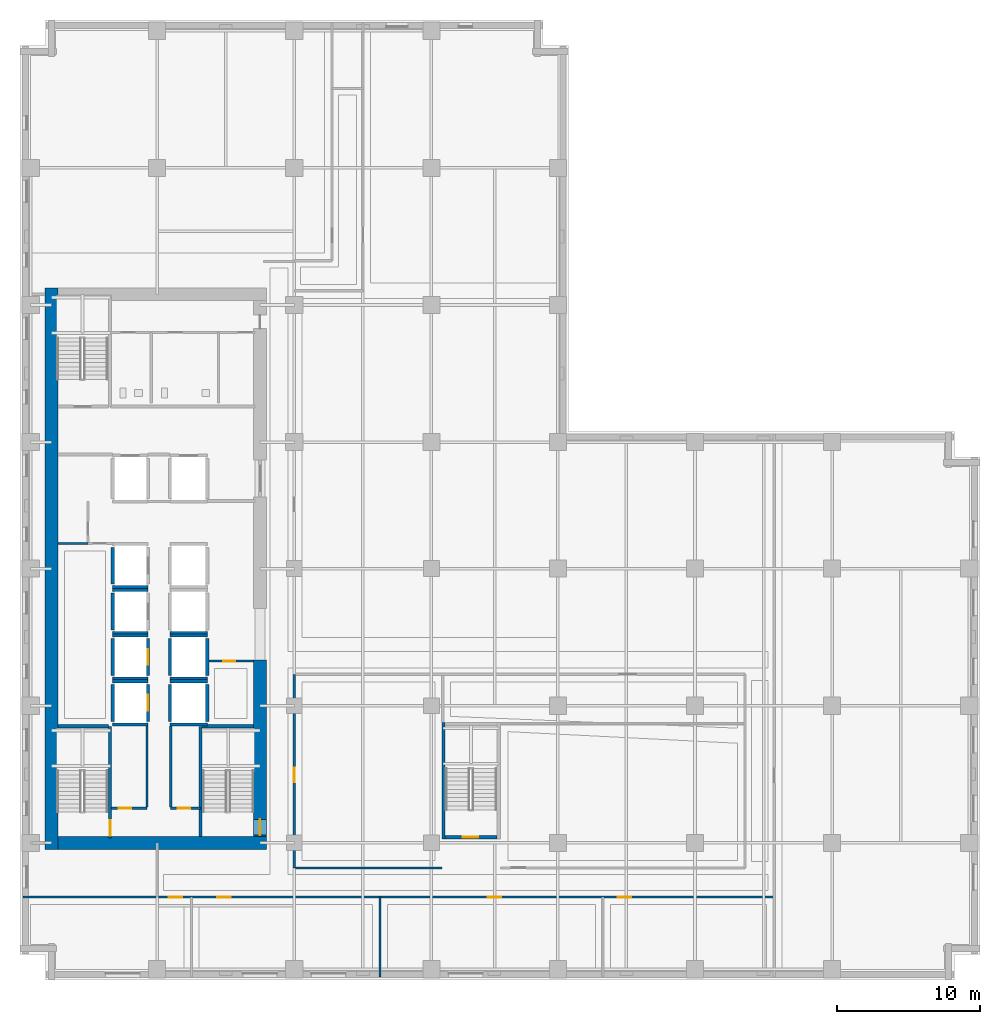
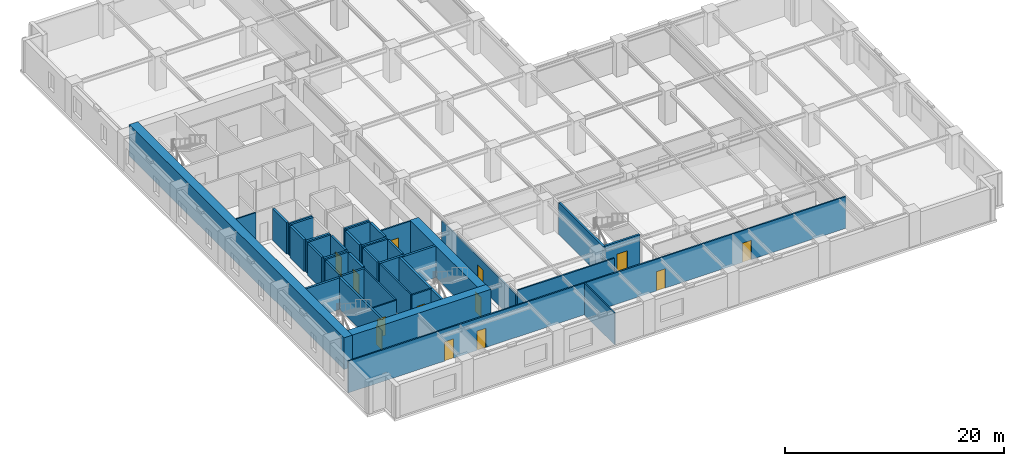
# One storey, part 4 of 13: 41 walls, 13 doors, 13 openings.
"""IFC4 building model written with IfcOpenShell, lengths in metres."""

from ifc_helpers import new_model, si_unit, direction, frame, frame_2d, origin, place, context, subcontext, project, spatial, rectangle, extrude, material, layer, layer_set, type_object, element, fill, save


model = new_model("IFC4")

# Units and contexts
model_context = context("Model", 3, precision=1e-05, world=origin(), true_north=direction((0.0, 1.0)))
body_context = subcontext(model_context, "Body", "Model", "MODEL_VIEW")
ifc_project = project(units=[si_unit("LENGTHUNIT", "METRE"), si_unit("AREAUNIT", "SQUARE_METRE"), si_unit("VOLUMEUNIT", "CUBIC_METRE"), si_unit("PLANEANGLEUNIT", "RADIAN"), si_unit("MASSUNIT", "GRAM", prefix="KILO")], contexts=[model_context])

# Site, building, storey
site_placement = place(None, origin())
site = spatial("IfcSite", under=ifc_project, at=site_placement, CompositionType="ELEMENT")
building_placement = place(site_placement, origin())
building = spatial("IfcBuilding", under=site, at=building_placement, Name="Norrvale University Quadrangle", CompositionType="ELEMENT")
storey_placement = place(building_placement, frame((0.0, 0.0, 39.39990234375)))
storey = spatial("IfcBuildingStorey", under=building, at=storey_placement, Name="L09", CompositionType="ELEMENT", Elevation=39.39990234375)

# Walls
ifc_material_1 = material(Name="Concrete C80/95", Category="concrete")
ifc_layer_1 = layer(ifc_material_1, 0.89990234375, Name="Concrete C80/95")
ifc_layer_set_1 = layer_set([ifc_layer_1], Name="Concrete C80/95")
wall_type_1 = type_object("IfcWallType", Name="Wall Core 900", PredefinedType="SHEAR", material=ifc_layer_set_1)
wall_1_placement = place(storey_placement, frame((2.64990234375, 9.60009765625, 0.0), z_axis=(0.0, 0.0, 1.0), x_axis=(1.0, 0.0, 0.0)))
element("IfcWall", 1, at=wall_1_placement, inside=storey, type_object=wall_type_1, Name="Tower Core Shear Wall L09-S", PredefinedType="SHEAR", context=body_context, shape_type="SweptSolid", body=[
    extrude(rectangle(XDim=14.60009765625, YDim=0.89990234375, at=frame_2d((7.300048828125, 0.0))), origin(), (0.0, 0.0, 1.0), 3.5400390625),
])
wall_2_placement = place(storey_placement, frame((2.199951171875, 9.14990234375, 0.0), z_axis=(0.0, 0.0, 1.0), x_axis=(0.0, 1.0, 0.0)))
element("IfcWall", 2, at=wall_2_placement, inside=storey, type_object=wall_type_1, Name="Tower Core Shear Wall L09-W", PredefinedType="SHEAR", context=body_context, shape_type="SweptSolid", body=[
    extrude(rectangle(XDim=39.300048828125, YDim=0.89990234375, at=frame_2d((19.64990234375, 0.0))), origin(), (0.0, 0.0, 1.0), 3.5400390625),
])

# Wall, opening, door
wall_3_placement = place(storey_placement, frame((16.800048828125, 10.050048828125, 0.0), z_axis=(0.0, 0.0, 1.0), x_axis=(0.0, 1.0, 0.0)))
wall_3 = element("IfcWall", 3, at=wall_3_placement, inside=storey, type_object=wall_type_1, Name="Tower Core Shear Wall L09-E1", PredefinedType="SHEAR", context=body_context, shape_type="SweptSolid", body=[
    extrude(rectangle(XDim=12.349853515625, YDim=0.89990234375, at=frame_2d((6.1748046875, 0.0))), origin(), (0.0, 0.0, 1.0), 3.5400390625),
])
opening_1_placement = place(wall_3_placement, frame((0.090087890625, 0.0, 0.0)))
opening_1 = element("IfcOpeningElement", 4, at=opening_1_placement, cuts=wall_3, Name="Opening D02", PredefinedType="OPENING", context=body_context, shape_type="SweptSolid", body=[
    extrude(rectangle(XDim=1.10009765625, YDim=2.199951171875, at=frame_2d((0.550048828125, 1.10009765625))), frame((0.0, 0.4619140625, 0.0), z_axis=(0.0, -1.0, 0.0), x_axis=(1.0, 0.0, 0.0)), (0.0, 0.0, 1.0), 0.923828125),
])
ifc_material_2 = material(Name="Hollow Steel 350W Fire Door", Category="steel")
door_type_1 = type_object("IfcDoorType", Name="Door Stair Exit 1100x2200", OperationType="NOTDEFINED", PredefinedType="DOOR", material=ifc_material_2)
door_1_placement = place(opening_1_placement, origin())
door_1 = element("IfcDoor", 5, at=door_1_placement, inside=storey, type_object=door_type_1, Name="Door Stair Exit 1100x2200 DR-L09-ST03", OperationType="SINGLE_SWING_LEFT", OverallHeight=2.199951171875, OverallWidth=1.10009765625, PredefinedType="DOOR", context=body_context, shape_type="SweptSolid", body=[
    extrude(rectangle(XDim=1.10009765625, YDim=2.199951171875, at=frame_2d((0.550048828125, 1.10009765625))), frame((0.0, 0.02490234375, 0.0), z_axis=(0.0, -1.0, 0.0), x_axis=(1.0, 0.0, 0.0)), (0.0, 0.0, 1.0), 0.050048828125),
])
fill(opening_1, door_1)

# Wall
ifc_material_3 = material(Name="Standard Academic Gypsum Partition")
ifc_layer_2 = layer(ifc_material_3, 0.125, Name="Standard Academic Gypsum Partition")
ifc_layer_set_2 = layer_set([ifc_layer_2], Name="Standard Academic Gypsum Partition")
wall_type_2 = type_object("IfcWallType", Name="Wall Gypsum Academic 125", PredefinedType="PARTITIONING", material=ifc_layer_set_2)
wall_4_placement = place(storey_placement, frame((25.199951171875, 0.219970703125, 0.0), z_axis=(0.0, 0.0, 1.0), x_axis=(0.0, 1.0, 0.0)))
element("IfcWall", 6, at=wall_4_placement, inside=storey, type_object=wall_type_2, Name="Interior Partition WL-L09-SP02", PredefinedType="PARTITIONING", context=body_context, shape_type="SweptSolid", body=[
    extrude(rectangle(XDim=5.580078125, YDim=0.125, at=frame_2d((2.7900390625, 0.0))), origin(), (0.0, 0.0, 1.0), 3.5400390625),
])

# Wall, opening, door
ifc_material_4 = material(Name="Fire-Rated Gypsum Stud Partition")
ifc_layer_3 = layer(ifc_material_4, 0.14990234375, Name="Fire-Rated Gypsum Stud Partition")
ifc_layer_set_3 = layer_set([ifc_layer_3], Name="Fire-Rated Gypsum Stud Partition")
wall_type_3 = type_object("IfcWallType", Name="Wall Gypsum Corridor 150", PredefinedType="PARTITIONING", material=ifc_layer_set_3)
wall_5_placement = place(storey_placement, frame((6.419921875, 12.02001953125, 0.0), z_axis=(0.0, 0.0, 1.0), x_axis=(1.0, 0.0, 0.0)))
wall_5 = element("IfcWall", 7, at=wall_5_placement, inside=storey, type_object=wall_type_3, Name="Interior Partition WL-L09-SC-NL", PredefinedType="PARTITIONING", context=body_context, shape_type="SweptSolid", body=[
    extrude(rectangle(XDim=2.47998046875, YDim=0.14990234375, at=frame_2d((1.239990234375, 0.0))), origin(), (0.0, 0.0, 1.0), 3.5400390625),
])
opening_2_placement = place(wall_5_placement, frame((0.5, 0.0, 0.0)))
opening_2 = element("IfcOpeningElement", 8, at=opening_2_placement, cuts=wall_5, Name="Opening D10", PredefinedType="OPENING", context=body_context, shape_type="SweptSolid", body=[
    extrude(rectangle(XDim=0.85009765625, YDim=2.10009765625, at=frame_2d((0.425048828125, 1.050048828125))), frame((0.0, 0.0869140625, 0.0), z_axis=(0.0, -1.0, 0.0), x_axis=(1.0, 0.0, 0.0)), (0.0, 0.0, 1.0), 0.173828125),
])
ifc_material_5 = material(Name="Hollow Steel 350W Riser Fire Door", Category="steel")
door_type_2 = type_object("IfcDoorType", Name="Door Riser 850x2100", OperationType="NOTDEFINED", PredefinedType="DOOR", material=ifc_material_5)
door_2_placement = place(opening_2_placement, origin())
door_2 = element("IfcDoor", 9, at=door_2_placement, inside=storey, type_object=door_type_2, Name="Door Riser 850x2100 DR-L09-ELEC", OperationType="SINGLE_SWING_LEFT", OverallHeight=2.10009765625, OverallWidth=0.85009765625, PredefinedType="DOOR", context=body_context, shape_type="SweptSolid", body=[
    extrude(rectangle(XDim=0.85009765625, YDim=2.10009765625, at=frame_2d((0.425048828125, 1.050048828125))), frame((0.0, 0.02490234375, 0.0), z_axis=(0.0, -1.0, 0.0), x_axis=(1.0, 0.0, 0.0)), (0.0, 0.0, 1.0), 0.050048828125),
])
fill(opening_2, door_2)

wall_6_placement = place(storey_placement, frame((10.550048828125, 12.02001953125, 0.0), z_axis=(0.0, 0.0, 1.0), x_axis=(1.0, 0.0, 0.0)))
wall_6 = element("IfcWall", 10, at=wall_6_placement, inside=storey, type_object=wall_type_3, Name="Interior Partition WL-L09-SC-NR", PredefinedType="PARTITIONING", context=body_context, shape_type="SweptSolid", body=[
    extrude(rectangle(XDim=2.079833984375, YDim=0.14990234375, at=frame_2d((1.0400390625, 0.0))), origin(), (0.0, 0.0, 1.0), 3.5400390625),
])
opening_3_placement = place(wall_6_placement, frame((0.5, 0.0, 0.0)))
opening_3 = element("IfcOpeningElement", 11, at=opening_3_placement, cuts=wall_6, Name="Opening D10", PredefinedType="OPENING", context=body_context, shape_type="SweptSolid", body=[
    extrude(rectangle(XDim=0.85009765625, YDim=2.10009765625, at=frame_2d((0.425048828125, 1.050048828125))), frame((0.0, 0.0869140625, 0.0), z_axis=(0.0, -1.0, 0.0), x_axis=(1.0, 0.0, 0.0)), (0.0, 0.0, 1.0), 0.173828125),
])
door_3_placement = place(opening_3_placement, origin())
door_3 = element("IfcDoor", 12, at=door_3_placement, inside=storey, type_object=door_type_2, Name="Door Riser 850x2100 DR-L09-IDF", OperationType="SINGLE_SWING_RIGHT", OverallHeight=2.10009765625, OverallWidth=0.85009765625, PredefinedType="DOOR", context=body_context, shape_type="SweptSolid", body=[
    extrude(rectangle(XDim=0.85009765625, YDim=2.10009765625, at=frame_2d((0.425048828125, 1.050048828125))), frame((0.0, 0.02490234375, 0.0), z_axis=(0.0, -1.0, 0.0), x_axis=(1.0, 0.0, 0.0)), (0.0, 0.0, 1.0), 0.050048828125),
])
fill(opening_3, door_3)

# Walls
for number, where, z_axis, x_axis, name in (
    (13, (8.89990234375, 12.094970703125, 0.0), (0.0, 0.0, 1.0), (0.0, 1.0, 0.0), "Interior Partition WL-L09-SC-WL"),
    (14, (10.550048828125, 12.094970703125, 0.0), (0.0, 0.0, 1.0), (0.0, 1.0, 0.0), "Interior Partition WL-L09-SC-WR"),
):
    element("IfcWall", number, at=place(storey_placement, frame(where, z_axis=z_axis, x_axis=x_axis)), inside=storey, type_object=wall_type_3, Name=name, PredefinedType="PARTITIONING", context=body_context, shape_type="SweptSolid", body=[
        extrude(rectangle(XDim=5.679931640625, YDim=0.14990234375, at=frame_2d((2.83984375, 0.0))), origin(), (0.0, 0.0, 1.0), 3.5400390625),
    ])

# Wall, opening, door
wall_7_placement = place(storey_placement, frame((13.22509765625, 22.320068359375, 0.0), z_axis=(0.0, 0.0, 1.0), x_axis=(1.0, 0.0, 0.0)))
wall_7 = element("IfcWall", 15, at=wall_7_placement, inside=storey, type_object=wall_type_3, Name="Interior Partition WL-L09-JAN-N", PredefinedType="PARTITIONING", context=body_context, shape_type="SweptSolid", body=[
    extrude(rectangle(XDim=3.119873046875, YDim=0.14990234375, at=frame_2d((1.56005859375, 0.0))), origin(), (0.0, 0.0, 1.0), 3.5400390625),
])
opening_4_placement = place(wall_7_placement, frame((1.0, 0.0, 0.0)))
opening_4 = element("IfcOpeningElement", 16, at=opening_4_placement, cuts=wall_7, Name="Opening D10", PredefinedType="OPENING", context=body_context, shape_type="SweptSolid", body=[
    extrude(rectangle(XDim=0.85009765625, YDim=2.10009765625, at=frame_2d((0.425048828125, 1.050048828125))), frame((0.0, 0.0869140625, 0.0), z_axis=(0.0, -1.0, 0.0), x_axis=(1.0, 0.0, 0.0)), (0.0, 0.0, 1.0), 0.173828125),
])
door_4_placement = place(opening_4_placement, origin())
door_4 = element("IfcDoor", 17, at=door_4_placement, inside=storey, type_object=door_type_2, Name="Door Riser 850x2100 DR-L09-JAN", OperationType="SINGLE_SWING_LEFT", OverallHeight=2.10009765625, OverallWidth=0.85009765625, PredefinedType="DOOR", context=body_context, shape_type="SweptSolid", body=[
    extrude(rectangle(XDim=0.85009765625, YDim=2.10009765625, at=frame_2d((0.425048828125, 1.050048828125))), frame((0.0, 0.02490234375, 0.0), z_axis=(0.0, -1.0, 0.0), x_axis=(1.0, 0.0, 0.0)), (0.0, 0.0, 1.0), 0.050048828125),
])
fill(opening_4, door_4)

# Wall
wall_8_placement = place(storey_placement, frame((2.64990234375, 30.550048828125, 0.0), z_axis=(0.0, 0.0, 1.0), x_axis=(1.0, 0.0, 0.0)))
element("IfcWall", 18, at=wall_8_placement, inside=storey, type_object=wall_type_3, Name="Interior Partition WL-L09-WST-N2", PredefinedType="PARTITIONING", context=body_context, shape_type="SweptSolid", body=[
    extrude(rectangle(XDim=2.110107421875, YDim=0.14990234375, at=frame_2d((1.05517578125, 0.0))), origin(), (0.0, 0.0, 1.0), 3.5400390625),
])

# Wall, openings, doors
wall_9_placement = place(storey_placement, frame((0.219970703125, 5.800048828125, 0.0), z_axis=(0.0, 0.0, 1.0), x_axis=(1.0, 0.0, 0.0)))
wall_9 = element("IfcWall", 19, at=wall_9_placement, inside=storey, type_object=wall_type_3, Name="Interior Partition WL-L09-SCW", PredefinedType="PARTITIONING", context=body_context, shape_type="SweptSolid", body=[
    extrude(rectangle(XDim=52.580078125, YDim=0.14990234375, at=frame_2d((26.2900390625, 0.0))), origin(), (0.0, 0.0, 1.0), 3.5400390625),
])
opening_5_placement = place(wall_9_placement, frame((10.179931640625, 0.0, 0.0)))
opening_5 = element("IfcOpeningElement", 20, at=opening_5_placement, cuts=wall_9, Name="Opening D07", PredefinedType="OPENING", context=body_context, shape_type="SweptSolid", body=[
    extrude(rectangle(XDim=0.949951171875, YDim=2.14990234375, at=frame_2d((0.47509765625, 1.074951171875))), frame((0.0, 0.0869140625, 0.0), z_axis=(0.0, -1.0, 0.0), x_axis=(1.0, 0.0, 0.0)), (0.0, 0.0, 1.0), 0.173828125),
])
opening_6_placement = place(wall_9_placement, frame((13.580078125, 0.0, 0.0)))
opening_6 = element("IfcOpeningElement", 21, at=opening_6_placement, cuts=wall_9, Name="Opening D07", PredefinedType="OPENING", context=body_context, shape_type="SweptSolid", body=[
    extrude(rectangle(XDim=0.949951171875, YDim=2.14990234375, at=frame_2d((0.47509765625, 1.074951171875))), frame((0.0, 0.0869140625, 0.0), z_axis=(0.0, -1.0, 0.0), x_axis=(1.0, 0.0, 0.0)), (0.0, 0.0, 1.0), 0.173828125),
])
opening_7_placement = place(wall_9_placement, frame((32.530029296875, 0.0, 0.0)))
opening_7 = element("IfcOpeningElement", 22, at=opening_7_placement, cuts=wall_9, Name="Opening D07", PredefinedType="OPENING", context=body_context, shape_type="SweptSolid", body=[
    extrude(rectangle(XDim=0.949951171875, YDim=2.14990234375, at=frame_2d((0.47509765625, 1.074951171875))), frame((0.0, 0.0869140625, 0.0), z_axis=(0.0, -1.0, 0.0), x_axis=(1.0, 0.0, 0.0)), (0.0, 0.0, 1.0), 0.173828125),
])
opening_8_placement = place(wall_9_placement, frame((41.6298828125, 0.0, 0.0)))
opening_8 = element("IfcOpeningElement", 23, at=opening_8_placement, cuts=wall_9, Name="Opening D07", PredefinedType="OPENING", context=body_context, shape_type="SweptSolid", body=[
    extrude(rectangle(XDim=0.949951171875, YDim=2.14990234375, at=frame_2d((0.47509765625, 1.074951171875))), frame((0.0, 0.0869140625, 0.0), z_axis=(0.0, -1.0, 0.0), x_axis=(1.0, 0.0, 0.0)), (0.0, 0.0, 1.0), 0.173828125),
])
ifc_material_6 = material(Name="Solid-Core Maple Door", Category="wood")
door_type_3 = type_object("IfcDoorType", Name="Door Office 950x2150", OperationType="NOTDEFINED", PredefinedType="DOOR", material=ifc_material_6)
door_5_placement = place(opening_5_placement, origin())
door_5 = element("IfcDoor", 24, at=door_5_placement, inside=storey, type_object=door_type_3, Name="Door Office 950x2150 DR-L09-S01", OperationType="SINGLE_SWING_LEFT", OverallHeight=2.14990234375, OverallWidth=0.949951171875, PredefinedType="DOOR", context=body_context, shape_type="SweptSolid", body=[
    extrude(rectangle(XDim=0.949951171875, YDim=2.14990234375, at=frame_2d((0.47509765625, 1.074951171875))), frame((0.0, 0.02490234375, 0.0), z_axis=(0.0, -1.0, 0.0), x_axis=(1.0, 0.0, 0.0)), (0.0, 0.0, 1.0), 0.050048828125),
])
fill(opening_5, door_5)
door_6_placement = place(opening_6_placement, origin())
door_6 = element("IfcDoor", 25, at=door_6_placement, inside=storey, type_object=door_type_3, Name="Door Office 950x2150 DR-L09-S02", OperationType="SINGLE_SWING_RIGHT", OverallHeight=2.14990234375, OverallWidth=0.949951171875, PredefinedType="DOOR", context=body_context, shape_type="SweptSolid", body=[
    extrude(rectangle(XDim=0.949951171875, YDim=2.14990234375, at=frame_2d((0.47509765625, 1.074951171875))), frame((0.0, 0.02490234375, 0.0), z_axis=(0.0, -1.0, 0.0), x_axis=(1.0, 0.0, 0.0)), (0.0, 0.0, 1.0), 0.050048828125),
])
fill(opening_6, door_6)
door_7_placement = place(opening_7_placement, origin())
door_7 = element("IfcDoor", 26, at=door_7_placement, inside=storey, type_object=door_type_3, Name="Door Office 950x2150 DR-L09-S03", OperationType="SINGLE_SWING_LEFT", OverallHeight=2.14990234375, OverallWidth=0.949951171875, PredefinedType="DOOR", context=body_context, shape_type="SweptSolid", body=[
    extrude(rectangle(XDim=0.949951171875, YDim=2.14990234375, at=frame_2d((0.47509765625, 1.074951171875))), frame((0.0, 0.02490234375, 0.0), z_axis=(0.0, -1.0, 0.0), x_axis=(1.0, 0.0, 0.0)), (0.0, 0.0, 1.0), 0.050048828125),
])
fill(opening_7, door_7)
door_8_placement = place(opening_8_placement, origin())
door_8 = element("IfcDoor", 27, at=door_8_placement, inside=storey, type_object=door_type_3, Name="Door Office 950x2150 DR-L09-S04", OperationType="SINGLE_SWING_RIGHT", OverallHeight=2.14990234375, OverallWidth=0.949951171875, PredefinedType="DOOR", context=body_context, shape_type="SweptSolid", body=[
    extrude(rectangle(XDim=0.949951171875, YDim=2.14990234375, at=frame_2d((0.47509765625, 1.074951171875))), frame((0.0, 0.02490234375, 0.0), z_axis=(0.0, -1.0, 0.0), x_axis=(1.0, 0.0, 0.0)), (0.0, 0.0, 1.0), 0.050048828125),
])
fill(opening_8, door_8)

# Wall, opening, door
wall_10_placement = place(storey_placement, frame((19.199951171875, 7.85009765625, 0.0), z_axis=(0.0, 0.0, 1.0), x_axis=(0.0, 1.0, 0.0)))
wall_10 = element("IfcWall", 28, at=wall_10_placement, inside=storey, type_object=wall_type_3, Name="Interior Partition WL-L09-ISLW", PredefinedType="PARTITIONING", context=body_context, shape_type="SweptSolid", body=[
    extrude(rectangle(XDim=13.5498046875, YDim=0.14990234375, at=frame_2d((6.77490234375, 0.0))), origin(), (0.0, 0.0, 1.0), 3.123046875),
])
opening_9_placement = place(wall_10_placement, frame((6.0, 0.0, 0.0)))
opening_9 = element("IfcOpeningElement", 29, at=opening_9_placement, cuts=wall_10, Name="Opening D04", PredefinedType="OPENING", context=body_context, shape_type="SweptSolid", body=[
    extrude(rectangle(XDim=1.0, YDim=2.199951171875, at=frame_2d((0.5, 1.10009765625))), frame((0.0, 0.0869140625, 0.0), z_axis=(0.0, -1.0, 0.0), x_axis=(1.0, 0.0, 0.0)), (0.0, 0.0, 1.0), 0.173828125),
])
ifc_material_7 = material(Name="Solid-Core Oak Fire Door", Category="wood")
door_type_4 = type_object("IfcDoorType", Name="Door Corridor 1000x2200", OperationType="NOTDEFINED", PredefinedType="DOOR", material=ifc_material_7)
door_9_placement = place(opening_9_placement, origin())
door_9 = element("IfcDoor", 30, at=door_9_placement, inside=storey, type_object=door_type_4, Name="Door Corridor 1000x2200 DR-L09-IW1", OperationType="SINGLE_SWING_LEFT", OverallHeight=2.199951171875, OverallWidth=1.0, PredefinedType="DOOR", context=body_context, shape_type="SweptSolid", body=[
    extrude(rectangle(XDim=1.0, YDim=2.199951171875, at=frame_2d((0.5, 1.10009765625))), frame((0.0, 0.02490234375, 0.0), z_axis=(0.0, -1.0, 0.0), x_axis=(1.0, 0.0, 0.0)), (0.0, 0.0, 1.0), 0.050048828125),
])
fill(opening_9, door_9)

# Wall
wall_11_placement = place(storey_placement, frame((19.280029296875, 7.85009765625, 0.0), z_axis=(0.0, 0.0, 1.0), x_axis=(1.0, 0.0, 0.0)))
element("IfcWall", 31, at=wall_11_placement, inside=storey, type_object=wall_type_3, Name="Interior Partition WL-L09-ISLS1", PredefinedType="PARTITIONING", context=body_context, shape_type="SweptSolid", body=[
    extrude(rectangle(XDim=10.244873046875, YDim=0.14990234375, at=frame_2d((5.12255859375, 0.0))), origin(), (0.0, 0.0, 1.0), 3.5400390625),
])

# Wall, opening, door
ifc_material_8 = material(Name="Concrete Blockwork 20 MPa Fire Shaft", Category="masonry")
ifc_layer_4 = layer(ifc_material_8, 0.219970703125, Name="Concrete Blockwork 20 MPa Fire Shaft")
ifc_layer_set_4 = layer_set([ifc_layer_4], Name="Concrete Blockwork 20 MPa Fire Shaft")
wall_type_4 = type_object("IfcWallType", Name="Wall Shaft 220", PredefinedType="SOLIDWALL", material=ifc_layer_set_4)
wall_12_placement = place(storey_placement, frame((6.31005859375, 9.949951171875, 0.0), z_axis=(0.0, 0.0, 1.0), x_axis=(0.0, 1.0, 0.0)))
wall_12 = element("IfcWall", 32, at=wall_12_placement, inside=storey, type_object=wall_type_4, Name="Stair ST-01 East Shaft Wall L09", PredefinedType="SOLIDWALL", context=body_context, shape_type="SweptSolid", body=[
    extrude(rectangle(XDim=7.81005859375, YDim=0.219970703125, at=frame_2d((3.905029296875, 0.0))), origin(), (0.0, 0.0, 1.0), 3.5400390625),
])
opening_10_placement = place(wall_12_placement, frame((0.139892578125, 0.0, 0.0)))
opening_10 = element("IfcOpeningElement", 33, at=opening_10_placement, cuts=wall_12, Name="Opening D02", PredefinedType="OPENING", context=body_context, shape_type="SweptSolid", body=[
    extrude(rectangle(XDim=1.10009765625, YDim=2.199951171875, at=frame_2d((0.550048828125, 1.10009765625))), frame((0.0, 0.1220703125, 0.0), z_axis=(0.0, -1.0, 0.0), x_axis=(1.0, 0.0, 0.0)), (0.0, 0.0, 1.0), 0.243896484375),
])
door_10_placement = place(opening_10_placement, origin())
door_10 = element("IfcDoor", 34, at=door_10_placement, inside=storey, type_object=door_type_1, Name="Door Stair Exit 1100x2200 DR-L09-ST01", OperationType="SINGLE_SWING_LEFT", OverallHeight=2.199951171875, OverallWidth=1.10009765625, PredefinedType="DOOR", context=body_context, shape_type="SweptSolid", body=[
    extrude(rectangle(XDim=1.10009765625, YDim=2.199951171875, at=frame_2d((0.550048828125, 1.10009765625))), frame((0.0, 0.02490234375, 0.0), z_axis=(0.0, -1.0, 0.0), x_axis=(1.0, 0.0, 0.0)), (0.0, 0.0, 1.0), 0.050048828125),
])
fill(opening_10, door_10)

# Walls
wall_13_placement = place(storey_placement, frame((2.64990234375, 17.760009765625, 0.0), z_axis=(0.0, 0.0, 1.0), x_axis=(1.0, 0.0, 0.0)))
element("IfcWall", 35, at=wall_13_placement, inside=storey, type_object=wall_type_4, Name="Stair ST-01 North Shaft Wall L09", PredefinedType="SOLIDWALL", context=body_context, shape_type="SweptSolid", body=[
    extrude(rectangle(XDim=3.550048828125, YDim=0.219970703125, at=frame_2d((1.77490234375, 0.0))), origin(), (0.0, 0.0, 1.0), 3.5400390625),
])
wall_14_placement = place(storey_placement, frame((12.639892578125, 10.050048828125, 0.0), z_axis=(0.0, 0.0, 1.0), x_axis=(0.0, 1.0, 0.0)))
element("IfcWall", 36, at=wall_14_placement, inside=storey, type_object=wall_type_4, Name="Stair ST-03 West Shaft Wall L09", PredefinedType="SOLIDWALL", context=body_context, shape_type="SweptSolid", body=[
    extrude(rectangle(XDim=7.7099609375, YDim=0.219970703125, at=frame_2d((3.85498046875, 0.0))), origin(), (0.0, 0.0, 1.0), 3.5400390625),
])
wall_15_placement = place(storey_placement, frame((12.75, 17.760009765625, 0.0), z_axis=(0.0, 0.0, 1.0), x_axis=(1.0, 0.0, 0.0)))
element("IfcWall", 37, at=wall_15_placement, inside=storey, type_object=wall_type_4, Name="Stair ST-03 North Shaft Wall L09", PredefinedType="SOLIDWALL", context=body_context, shape_type="SweptSolid", body=[
    extrude(rectangle(XDim=3.60009765625, YDim=0.219970703125, at=frame_2d((1.800048828125, 0.0))), origin(), (0.0, 0.0, 1.0), 3.5400390625),
])

# Wall, opening, door
wall_16_placement = place(storey_placement, frame((29.75, 9.989990234375, 0.0), z_axis=(0.0, 0.0, 1.0), x_axis=(1.0, 0.0, 0.0)))
wall_16 = element("IfcWall", 38, at=wall_16_placement, inside=storey, type_object=wall_type_4, Name="Stair ST-04 South Shaft Wall L09", PredefinedType="SOLIDWALL", context=body_context, shape_type="SweptSolid", body=[
    extrude(rectangle(XDim=3.64990234375, YDim=0.219970703125, at=frame_2d((1.824951171875, 0.0))), origin(), (0.0, 0.0, 1.0), 3.5400390625),
])
opening_11_placement = place(wall_16_placement, frame((1.239990234375, 0.0, 0.0)))
opening_11 = element("IfcOpeningElement", 39, at=opening_11_placement, cuts=wall_16, Name="Opening D02", PredefinedType="OPENING", context=body_context, shape_type="SweptSolid", body=[
    extrude(rectangle(XDim=1.10009765625, YDim=2.199951171875, at=frame_2d((0.550048828125, 1.10009765625))), frame((0.0, 0.1220703125, 0.0), z_axis=(0.0, -1.0, 0.0), x_axis=(1.0, 0.0, 0.0)), (0.0, 0.0, 1.0), 0.243896484375),
])
door_11_placement = place(opening_11_placement, origin())
door_11 = element("IfcDoor", 40, at=door_11_placement, inside=storey, type_object=door_type_1, Name="Door Stair Exit 1100x2200 DR-L09-ST04", OperationType="SINGLE_SWING_LEFT", OverallHeight=2.199951171875, OverallWidth=1.10009765625, PredefinedType="DOOR", context=body_context, shape_type="SweptSolid", body=[
    extrude(rectangle(XDim=1.10009765625, YDim=2.199951171875, at=frame_2d((0.550048828125, 1.10009765625))), frame((0.0, 0.02490234375, 0.0), z_axis=(0.0, -1.0, 0.0), x_axis=(1.0, 0.0, 0.0)), (0.0, 0.0, 1.0), 0.050048828125),
])
fill(opening_11, door_11)

# Walls
wall_17_placement = place(storey_placement, frame((29.639892578125, 9.8798828125, 0.0), z_axis=(0.0, 0.0, 1.0), x_axis=(0.0, 1.0, 0.0)))
element("IfcWall", 41, at=wall_17_placement, inside=storey, type_object=wall_type_4, Name="Stair ST-04 West Shaft Wall L09", PredefinedType="SOLIDWALL", context=body_context, shape_type="SweptSolid", body=[
    extrude(rectangle(XDim=8.14013671875, YDim=0.219970703125, at=frame_2d((4.070068359375, 0.0))), origin(), (0.0, 0.0, 1.0), 3.5400390625),
])
wall_18_placement = place(storey_placement, frame((6.489990234375, 18.110107421875, 0.0), z_axis=(0.0, 0.0, 1.0), x_axis=(0.0, 1.0, 0.0)))
element("IfcWall", 42, at=wall_18_placement, inside=storey, type_object=wall_type_4, Name="Hoistway PL-01 West Wall L09", PredefinedType="SOLIDWALL", context=body_context, shape_type="SweptSolid", body=[
    extrude(rectangle(XDim=2.579833984375, YDim=0.219970703125, at=frame_2d((1.2900390625, 0.0))), origin(), (0.0, 0.0, 1.0), 3.5400390625),
])

# Wall, opening, door
wall_19_placement = place(storey_placement, frame((8.9599609375, 18.110107421875, 0.0), z_axis=(0.0, 0.0, 1.0), x_axis=(0.0, 1.0, 0.0)))
wall_19 = element("IfcWall", 43, at=wall_19_placement, inside=storey, type_object=wall_type_4, Name="Hoistway PL-01 East Wall L09", PredefinedType="SOLIDWALL", context=body_context, shape_type="SweptSolid", body=[
    extrude(rectangle(XDim=2.579833984375, YDim=0.219970703125, at=frame_2d((1.2900390625, 0.0))), origin(), (0.0, 0.0, 1.0), 3.5400390625),
])
opening_12_placement = place(wall_19_placement, frame((0.739990234375, 0.0, 0.0)))
opening_12 = element("IfcOpeningElement", 44, at=opening_12_placement, cuts=wall_19, Name="Opening LD1", PredefinedType="OPENING", context=body_context, shape_type="SweptSolid", body=[
    extrude(rectangle(XDim=1.10009765625, YDim=2.199951171875, at=frame_2d((0.550048828125, 1.10009765625))), frame((0.0, 0.1220703125, 0.0), z_axis=(0.0, -1.0, 0.0), x_axis=(1.0, 0.0, 0.0)), (0.0, 0.0, 1.0), 0.243896484375),
])
ifc_material_9 = material(Name="Stainless Steel 316L Lift Landing Door", Category="steel")
door_type_5 = type_object("IfcDoorType", Name="Door Lift Landing 1100x2200", OperationType="DOUBLE_DOOR_SLIDING", PredefinedType="DOOR", material=ifc_material_9)
door_12_placement = place(opening_12_placement, origin())
door_12 = element("IfcDoor", 45, at=door_12_placement, inside=storey, type_object=door_type_5, Name="Elevator Landing Door DR-L09-PL-01", OperationType="DOUBLE_DOOR_SLIDING", OverallHeight=2.199951171875, OverallWidth=1.10009765625, PredefinedType="DOOR", context=body_context, shape_type="SweptSolid", body=[
    extrude(rectangle(XDim=1.10009765625, YDim=2.199951171875, at=frame_2d((0.550048828125, 1.10009765625))), frame((0.0, 0.02490234375, 0.0), z_axis=(0.0, -1.0, 0.0), x_axis=(1.0, 0.0, 0.0)), (0.0, 0.0, 1.0), 0.050048828125),
])
fill(opening_12, door_12)

# Walls
for number, where, z_axis, x_axis, name in (
    (46, (6.489990234375, 17.889892578125, 0.0), (0.0, 0.0, 1.0), (1.0, 0.0, 0.0), "Hoistway PL-01 South Wall L09"),
    (47, (6.489990234375, 20.909912109375, 0.0), (0.0, 0.0, 1.0), (1.0, 0.0, 0.0), "Hoistway PL-01 North Wall L09"),
):
    element("IfcWall", number, at=place(storey_placement, frame(where, z_axis=z_axis, x_axis=x_axis)), inside=storey, type_object=wall_type_4, Name=name, PredefinedType="SOLIDWALL", context=body_context, shape_type="SweptSolid", body=[
        extrude(rectangle(XDim=2.469970703125, YDim=0.219970703125, at=frame_2d((1.23486328125, 0.0))), origin(), (0.0, 0.0, 1.0), 3.5400390625),
    ])
wall_20_placement = place(storey_placement, frame((6.489990234375, 21.31005859375, 0.0), z_axis=(0.0, 0.0, 1.0), x_axis=(0.0, 1.0, 0.0)))
element("IfcWall", 48, at=wall_20_placement, inside=storey, type_object=wall_type_4, Name="Hoistway PL-02 West Wall L09", PredefinedType="SOLIDWALL", context=body_context, shape_type="SweptSolid", body=[
    extrude(rectangle(XDim=2.579833984375, YDim=0.219970703125, at=frame_2d((1.2900390625, 0.0))), origin(), (0.0, 0.0, 1.0), 3.5400390625),
])

# Wall, opening, door
wall_21_placement = place(storey_placement, frame((8.9599609375, 21.31005859375, 0.0), z_axis=(0.0, 0.0, 1.0), x_axis=(0.0, 1.0, 0.0)))
wall_21 = element("IfcWall", 49, at=wall_21_placement, inside=storey, type_object=wall_type_4, Name="Hoistway PL-02 East Wall L09", PredefinedType="SOLIDWALL", context=body_context, shape_type="SweptSolid", body=[
    extrude(rectangle(XDim=2.579833984375, YDim=0.219970703125, at=frame_2d((1.2900390625, 0.0))), origin(), (0.0, 0.0, 1.0), 3.5400390625),
])
opening_13_placement = place(wall_21_placement, frame((0.739990234375, 0.0, 0.0)))
opening_13 = element("IfcOpeningElement", 50, at=opening_13_placement, cuts=wall_21, Name="Opening LD1", PredefinedType="OPENING", context=body_context, shape_type="SweptSolid", body=[
    extrude(rectangle(XDim=1.10009765625, YDim=2.199951171875, at=frame_2d((0.550048828125, 1.10009765625))), frame((0.0, 0.1220703125, 0.0), z_axis=(0.0, -1.0, 0.0), x_axis=(1.0, 0.0, 0.0)), (0.0, 0.0, 1.0), 0.243896484375),
])
door_13_placement = place(opening_13_placement, origin())
door_13 = element("IfcDoor", 51, at=door_13_placement, inside=storey, type_object=door_type_5, Name="Elevator Landing Door DR-L09-PL-02", OperationType="DOUBLE_DOOR_SLIDING", OverallHeight=2.199951171875, OverallWidth=1.10009765625, PredefinedType="DOOR", context=body_context, shape_type="SweptSolid", body=[
    extrude(rectangle(XDim=1.10009765625, YDim=2.199951171875, at=frame_2d((0.550048828125, 1.10009765625))), frame((0.0, 0.02490234375, 0.0), z_axis=(0.0, -1.0, 0.0), x_axis=(1.0, 0.0, 0.0)), (0.0, 0.0, 1.0), 0.050048828125),
])
fill(opening_13, door_13)

# Walls
for number, where, z_axis, x_axis, name in (
    (52, (6.489990234375, 21.090087890625, 0.0), (0.0, 0.0, 1.0), (1.0, 0.0, 0.0), "Hoistway PL-02 South Wall L09"),
    (53, (6.489990234375, 24.110107421875, 0.0), (0.0, 0.0, 1.0), (1.0, 0.0, 0.0), "Hoistway PL-02 North Wall L09"),
):
    element("IfcWall", number, at=place(storey_placement, frame(where, z_axis=z_axis, x_axis=x_axis)), inside=storey, type_object=wall_type_4, Name=name, PredefinedType="SOLIDWALL", context=body_context, shape_type="SweptSolid", body=[
        extrude(rectangle(XDim=2.469970703125, YDim=0.219970703125, at=frame_2d((1.23486328125, 0.0))), origin(), (0.0, 0.0, 1.0), 3.5400390625),
    ])
wall_22_placement = place(storey_placement, frame((6.489990234375, 24.510009765625, 0.0), z_axis=(0.0, 0.0, 1.0), x_axis=(0.0, 1.0, 0.0)))
element("IfcWall", 54, at=wall_22_placement, inside=storey, type_object=wall_type_4, Name="Hoistway PL-03 West Wall L09", PredefinedType="SOLIDWALL", context=body_context, shape_type="SweptSolid", body=[
    extrude(rectangle(XDim=2.580078125, YDim=0.219970703125, at=frame_2d((1.2900390625, 0.0))), origin(), (0.0, 0.0, 1.0), 3.5400390625),
])
for number, where, z_axis, x_axis, name in (
    (55, (6.489990234375, 24.2900390625, 0.0), (0.0, 0.0, 1.0), (1.0, 0.0, 0.0), "Hoistway PL-03 South Wall L09"),
    (56, (6.489990234375, 27.31005859375, 0.0), (0.0, 0.0, 1.0), (1.0, 0.0, 0.0), "Hoistway PL-03 North Wall L09"),
):
    element("IfcWall", number, at=place(storey_placement, frame(where, z_axis=z_axis, x_axis=x_axis)), inside=storey, type_object=wall_type_4, Name=name, PredefinedType="SOLIDWALL", context=body_context, shape_type="SweptSolid", body=[
        extrude(rectangle(XDim=2.469970703125, YDim=0.219970703125, at=frame_2d((1.23486328125, 0.0))), origin(), (0.0, 0.0, 1.0), 3.5400390625),
    ])
wall_23_placement = place(storey_placement, frame((6.489990234375, 27.7099609375, 0.0), z_axis=(0.0, 0.0, 1.0), x_axis=(0.0, 1.0, 0.0)))
element("IfcWall", 57, at=wall_23_placement, inside=storey, type_object=wall_type_4, Name="Hoistway PL-04 West Wall L09", PredefinedType="SOLIDWALL", context=body_context, shape_type="SweptSolid", body=[
    extrude(rectangle(XDim=2.580078125, YDim=0.219970703125, at=frame_2d((1.2900390625, 0.0))), origin(), (0.0, 0.0, 1.0), 3.5400390625),
])
wall_24_placement = place(storey_placement, frame((6.489990234375, 27.489990234375, 0.0), z_axis=(0.0, 0.0, 1.0), x_axis=(1.0, 0.0, 0.0)))
element("IfcWall", 58, at=wall_24_placement, inside=storey, type_object=wall_type_4, Name="Hoistway PL-04 South Wall L09", PredefinedType="SOLIDWALL", context=body_context, shape_type="SweptSolid", body=[
    extrude(rectangle(XDim=2.469970703125, YDim=0.219970703125, at=frame_2d((1.23486328125, 0.0))), origin(), (0.0, 0.0, 1.0), 3.5400390625),
])
for number, where, z_axis, x_axis, name in (
    (59, (10.489990234375, 18.110107421875, 0.0), (0.0, 0.0, 1.0), (0.0, 1.0, 0.0), "Hoistway PL-05 West Wall L09"),
    (60, (13.110107421875, 18.110107421875, 0.0), (0.0, 0.0, 1.0), (0.0, 1.0, 0.0), "Hoistway PL-05 East Wall L09"),
):
    element("IfcWall", number, at=place(storey_placement, frame(where, z_axis=z_axis, x_axis=x_axis)), inside=storey, type_object=wall_type_4, Name=name, PredefinedType="SOLIDWALL", context=body_context, shape_type="SweptSolid", body=[
        extrude(rectangle(XDim=2.579833984375, YDim=0.219970703125, at=frame_2d((1.2900390625, 0.0))), origin(), (0.0, 0.0, 1.0), 3.5400390625),
    ])
for number, where, z_axis, x_axis, name in (
    (61, (10.489990234375, 17.889892578125, 0.0), (0.0, 0.0, 1.0), (1.0, 0.0, 0.0), "Hoistway PL-05 South Wall L09"),
    (62, (10.489990234375, 20.909912109375, 0.0), (0.0, 0.0, 1.0), (1.0, 0.0, 0.0), "Hoistway PL-05 North Wall L09"),
):
    element("IfcWall", number, at=place(storey_placement, frame(where, z_axis=z_axis, x_axis=x_axis)), inside=storey, type_object=wall_type_4, Name=name, PredefinedType="SOLIDWALL", context=body_context, shape_type="SweptSolid", body=[
        extrude(rectangle(XDim=2.6201171875, YDim=0.219970703125, at=frame_2d((1.31005859375, 0.0))), origin(), (0.0, 0.0, 1.0), 3.5400390625),
    ])
for number, where, z_axis, x_axis, name in (
    (63, (10.489990234375, 21.31005859375, 0.0), (0.0, 0.0, 1.0), (0.0, 1.0, 0.0), "Hoistway PL-06 West Wall L09"),
    (64, (13.110107421875, 21.31005859375, 0.0), (0.0, 0.0, 1.0), (0.0, 1.0, 0.0), "Hoistway PL-06 East Wall L09"),
):
    element("IfcWall", number, at=place(storey_placement, frame(where, z_axis=z_axis, x_axis=x_axis)), inside=storey, type_object=wall_type_4, Name=name, PredefinedType="SOLIDWALL", context=body_context, shape_type="SweptSolid", body=[
        extrude(rectangle(XDim=2.579833984375, YDim=0.219970703125, at=frame_2d((1.2900390625, 0.0))), origin(), (0.0, 0.0, 1.0), 3.5400390625),
    ])
for number, where, z_axis, x_axis, name in (
    (65, (10.489990234375, 21.090087890625, 0.0), (0.0, 0.0, 1.0), (1.0, 0.0, 0.0), "Hoistway PL-06 South Wall L09"),
    (66, (10.489990234375, 24.110107421875, 0.0), (0.0, 0.0, 1.0), (1.0, 0.0, 0.0), "Hoistway PL-06 North Wall L09"),
    (67, (10.489990234375, 24.2900390625, 0.0), (0.0, 0.0, 1.0), (1.0, 0.0, 0.0), "Hoistway PL-07 South Wall L09"),
):
    element("IfcWall", number, at=place(storey_placement, frame(where, z_axis=z_axis, x_axis=x_axis)), inside=storey, type_object=wall_type_4, Name=name, PredefinedType="SOLIDWALL", context=body_context, shape_type="SweptSolid", body=[
        extrude(rectangle(XDim=2.6201171875, YDim=0.219970703125, at=frame_2d((1.31005859375, 0.0))), origin(), (0.0, 0.0, 1.0), 3.5400390625),
    ])

save(model, "model.ifc")
